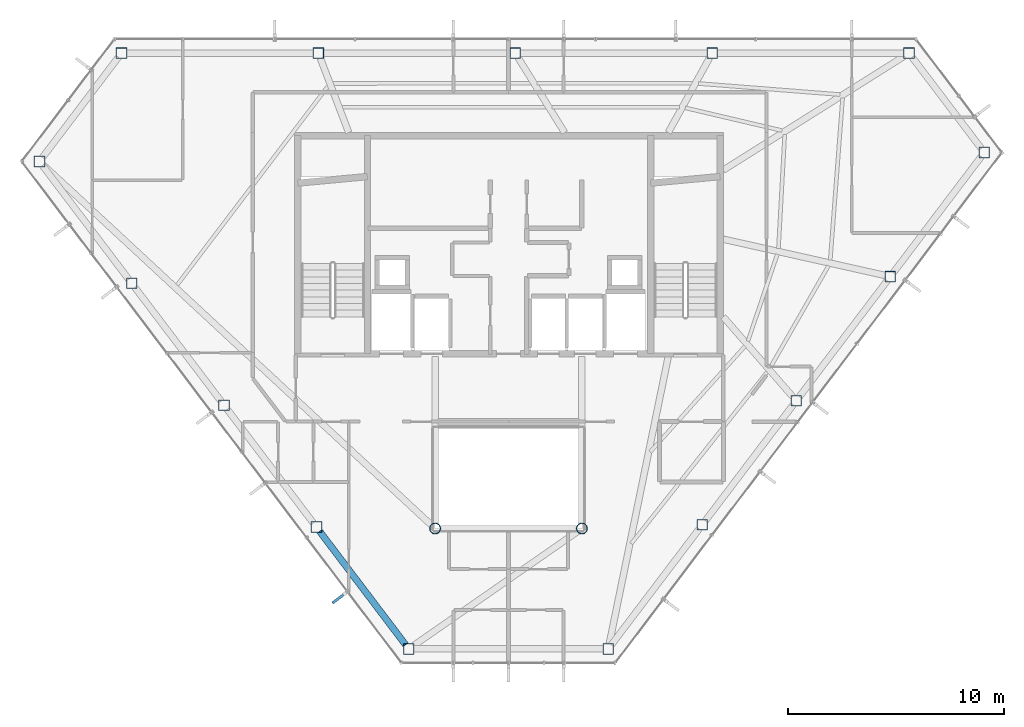
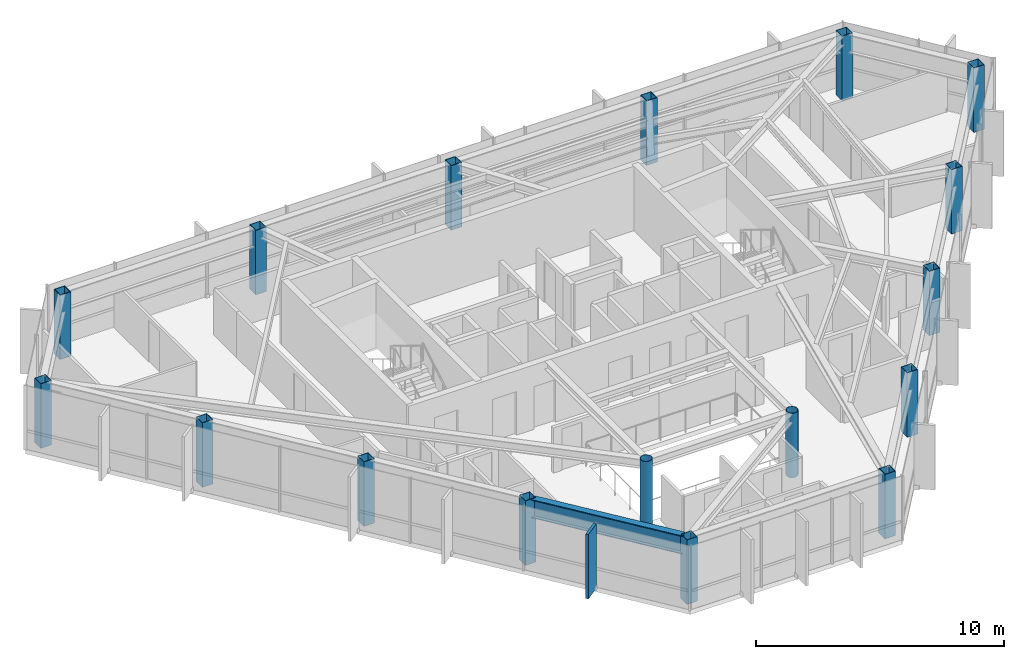
# One storey, part 1 of 25: 17 columns, 1 beam, 1 member, 1 element without a shape of its own.
"""IFC4 building model written with IfcOpenShell, lengths in metres."""

from ifc_helpers import new_model, si_unit, direction, frame, origin, origin_2d, place, context, subcontext, project, spatial, rectangle, hollow_rectangle, hollow_circle, i_section, extrude, material, layer, layer_set, material_profile, profile_set, type_object, element, aggregate, save


model = new_model("IFC4")

# Units and contexts
model_context = context("Model", 3, precision=1e-05, world=origin(), true_north=direction((0.0, 1.0)))
body_context = subcontext(model_context, "Body", "Model", "MODEL_VIEW")
ifc_project = project(units=[si_unit("LENGTHUNIT", "METRE"), si_unit("AREAUNIT", "SQUARE_METRE"), si_unit("VOLUMEUNIT", "CUBIC_METRE"), si_unit("PLANEANGLEUNIT", "RADIAN"), si_unit("MASSUNIT", "GRAM", prefix="KILO")], contexts=[model_context])

# Site, building, storey
site_placement = place(None, origin())
site = spatial("IfcSite", under=ifc_project, at=site_placement, CompositionType="ELEMENT")
building_placement = place(site_placement, origin())
building = spatial("IfcBuilding", under=site, at=building_placement, Name="Zarrinselat Tower", CompositionType="ELEMENT")
storey_placement = place(building_placement, frame((0.0, 0.0, 261.800048828125)))
storey = spatial("IfcBuildingStorey", under=building, at=storey_placement, Name="L66", CompositionType="ELEMENT", Elevation=261.800048828125)

# Columns
ifc_material_1 = material(Name="Steel S355J2", Category="steel")
ifc_material_profile_1 = material_profile(ifc_material_1, hollow_circle(Radius=0.25390625, WallThickness=0.02001953125, at=origin_2d()), Name="CHS 508x20")
ifc_profile_set_1 = profile_set([ifc_material_profile_1], Name="Steel S355J2")
column_type_1 = type_object("IfcColumnType", Name="COL-CHS508", PredefinedType="COLUMN", material=ifc_profile_set_1)
for number, where, z_axis, x_axis, name in (
    (1, (35.0, 25.199951171875, 0.0), (0.0, 0.0, 1.0), (1.0, 0.0, 0.0), "L66 Atrium Corner Column 1"),
    (2, (41.800048828125, 25.199951171875, 0.0), (0.0, 0.0, 1.0), (1.0, 0.0, 0.0), "L66 Atrium Corner Column 2"),
):
    element("IfcColumn", number, at=place(storey_placement, frame(where, z_axis=z_axis, x_axis=x_axis)), inside=storey, type_object=column_type_1, Name=name, PredefinedType="COLUMN", context=body_context, shape_type="SweptSolid", body=[
        extrude(hollow_circle(Radius=0.25390625, WallThickness=0.02001953125, at=origin_2d()), origin(), (0.0, 0.0, 1.0), 3.179931640625),
    ])
ifc_material_2 = material(Name="Steel S355J2", Category="steel")
ifc_material_profile_2 = material_profile(ifc_material_2, hollow_rectangle(XDim=0.5, YDim=0.5, WallThickness=0.02490234375, at=origin_2d()), Name="SHS 500x500x25")
ifc_profile_set_2 = profile_set([ifc_material_profile_2], Name="Steel S355J2")
column_type_2 = type_object("IfcColumnType", Name="COL-SHS500", PredefinedType="COLUMN", material=ifc_profile_set_2)
for number, where, z_axis, x_axis, name in (
    (3, (56.95166015625, 47.216796875, 0.0), (0.0, 0.0, 1.0), (1.0, 0.0, 0.0), "L66 Framed-Tube Column T01"),
    (4, (47.832763671875, 47.216796875, 0.0), (0.0, 0.0, 1.0), (1.0, 0.0, 0.0), "L66 Framed-Tube Column T02"),
    (5, (38.7138671875, 47.216796875, 0.0), (0.0, 0.0, 1.0), (1.0, 0.0, 0.0), "L66 Framed-Tube Column T03"),
    (6, (29.59521484375, 47.216796875, 0.0), (0.0, 0.0, 1.0), (1.0, 0.0, 0.0), "L66 Framed-Tube Column T04"),
    (7, (20.476318359375, 47.216796875, 0.0), (0.0, 0.0, 1.0), (1.0, 0.0, 0.0), "L66 Framed-Tube Column T05"),
    (8, (16.675537109375, 42.199462890625, 0.0), (0.0, 0.0, 1.0), (1.0, 0.0, 0.0), "L66 Framed-Tube Column T06"),
    (9, (20.95166015625, 36.554931640625, 0.0), (0.0, 0.0, 1.0), (1.0, 0.0, 0.0), "L66 Framed-Tube Column T07"),
    (10, (25.227783203125, 30.910400390625, 0.0), (0.0, 0.0, 1.0), (1.0, 0.0, 0.0), "L66 Framed-Tube Column T08"),
    (11, (29.504150390625, 25.265625, 0.0), (0.0, 0.0, 1.0), (1.0, 0.0, 0.0), "L66 Framed-Tube Column T09"),
    (12, (33.7802734375, 19.62109375, 0.0), (0.0, 0.0, 1.0), (1.0, 0.0, 0.0), "L66 Framed-Tube Column T10"),
    (13, (43.019775390625, 19.62109375, 0.0), (0.0, 0.0, 1.0), (1.0, 0.0, 0.0), "L66 Framed-Tube Column T11"),
    (14, (47.37451171875, 25.369384765625, 0.0), (0.0, 0.0, 1.0), (1.0, 0.0, 0.0), "L66 Framed-Tube Column T12"),
    (15, (51.72900390625, 31.117431640625, 0.0), (0.0, 0.0, 1.0), (1.0, 0.0, 0.0), "L66 Framed-Tube Column T13"),
    (16, (56.083740234375, 36.86572265625, 0.0), (0.0, 0.0, 1.0), (1.0, 0.0, 0.0), "L66 Framed-Tube Column T14"),
    (17, (60.4384765625, 42.614013671875, 0.0), (0.0, 0.0, 1.0), (1.0, 0.0, 0.0), "L66 Framed-Tube Column T15"),
):
    element("IfcColumn", number, at=place(storey_placement, frame(where, z_axis=z_axis, x_axis=x_axis)), inside=storey, type_object=column_type_2, Name=name, PredefinedType="COLUMN", context=body_context, shape_type="SweptSolid", body=[
        extrude(hollow_rectangle(XDim=0.5, YDim=0.5, WallThickness=0.02490234375, at=origin_2d()), origin(), (0.0, 0.0, 1.0), 3.179931640625),
    ])

# Beam
ifc_material_3 = material(Name="Steel S460M", Category="steel")
ifc_material_profile_3 = material_profile(ifc_material_3, i_section(OverallWidth=0.302001953125, OverallDepth=0.909912109375, WebThickness=0.02099609375, FlangeThickness=0.0400390625, at=origin_2d()), Name="HEM 900")
ifc_profile_set_3 = profile_set([ifc_material_profile_3], Name="Steel S460M")
beam_type = type_object("IfcBeamType", Name="BM-HEM900", PredefinedType="BEAM", material=ifc_profile_set_3)
beam_placement = place(storey_placement, frame((29.647705078125, 25.075927734375, 2.724853515625), z_axis=(0.603884016578, -0.797072201574, 0.0), x_axis=(0.797072201574, 0.603884016578, 0.0)))
element("IfcBeam", 18, at=beam_placement, inside=storey, type_object=beam_type, Name="L66 Perimeter Spandrel Girder SP09", PredefinedType="BEAM", context=body_context, shape_type="SweptSolid", body=[
    extrude(i_section(OverallWidth=0.302001953125, OverallDepth=0.909912109375, WebThickness=0.02099609375, FlangeThickness=0.0400390625, at=origin_2d()), origin(), (0.0, 0.0, 1.0), 6.605712890625),
])

# Curtain wall, member
ifc_material_4 = material(Name="Extruded Aluminium Alloy EN AW-6063 T6", Category="aluminium")
ifc_layer = layer(ifc_material_4, 0.169921875)
ifc_layer_set = layer_set([ifc_layer], Name="Extruded Aluminium Alloy EN AW-6063 T6")
curtain_wall_type = type_object("IfcCurtainWallType", Name="CWS-RES", PredefinedType="NOTDEFINED", material=ifc_layer_set)
curtain_wall_placement = place(storey_placement, origin())
curtain_wall = element("IfcCurtainWall", 19, at=curtain_wall_placement, inside=storey, type_object=curtain_wall_type, Name="L66 Unitised Curtain Wall CW-L66-E03", PredefinedType="NOTDEFINED")
ifc_material_5 = material(Name="Honed Cream Travertine Stone", Category="masonry")
ifc_material_profile_4 = material_profile(ifc_material_5, rectangle(XDim=0.1201171875, YDim=0.85009765625, at=origin_2d()), Name="FIN 850x120")
ifc_profile_set_4 = profile_set([ifc_material_profile_4], Name="Honed Cream Travertine Stone")
member_type = type_object("IfcMemberType", Name="MEM-STONE-FIN", PredefinedType="USERDEFINED", material=ifc_profile_set_4)
member_placement = place(storey_placement, frame((30.58349609375, 22.002685546875, 0.0), z_axis=(0.0, 0.0, 1.0), x_axis=(-0.603858282603, 0.797091697694, 0.0)))
member = element("IfcMember", 20, at=member_placement, type_object=member_type, Name="L66 Stone Shading Fin CW-L66-E03-09", ObjectType="FIN", PredefinedType="USERDEFINED", context=body_context, shape_type="SweptSolid", body=[
    extrude(rectangle(XDim=0.1201171875, YDim=0.85009765625, at=origin_2d()), origin(), (0.0, 0.0, 1.0), 3.179931640625),
])
aggregate(curtain_wall, [member])

save(model, "model.ifc")
